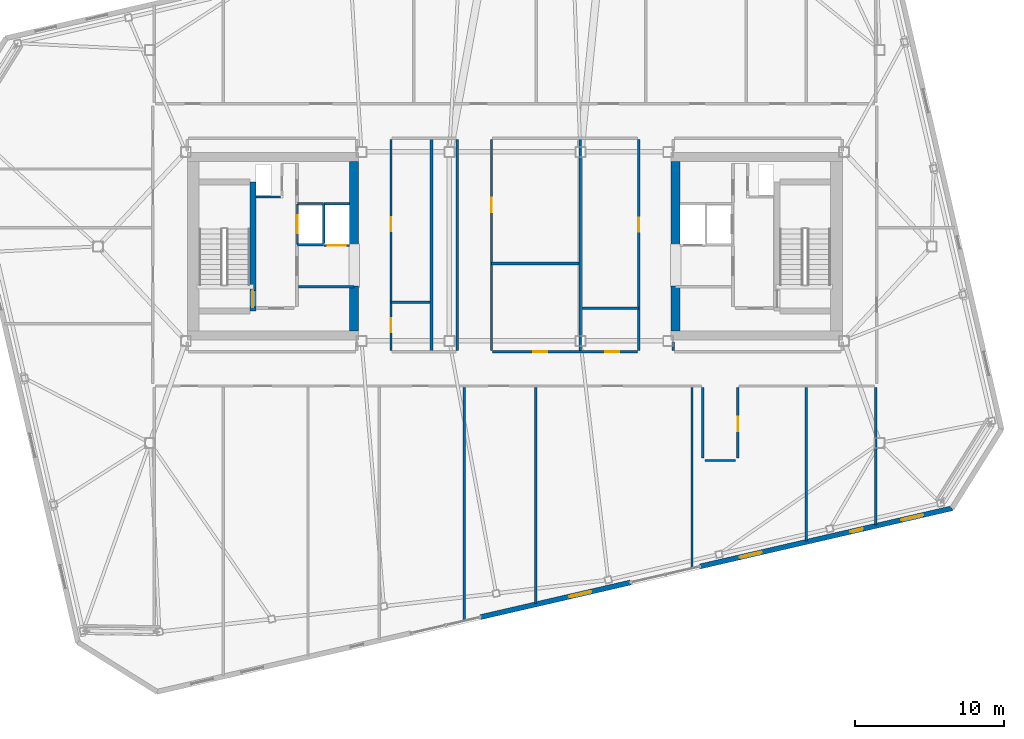
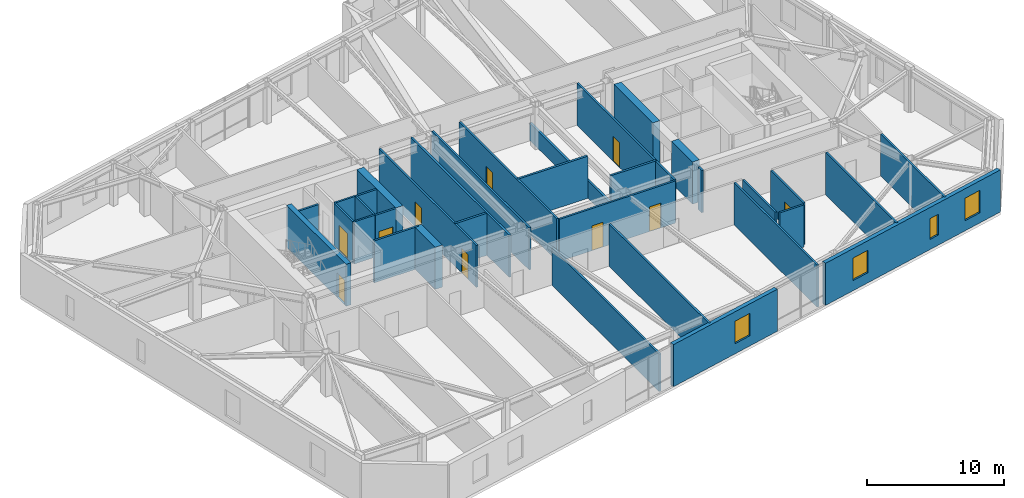
# One storey, part 18 of 24: 34 walls, 10 doors, 4 windows, 14 openings.
"""IFC4 building model written with IfcOpenShell, lengths in metres."""

from ifc_helpers import new_model, si_unit, direction, frame, frame_2d, origin, place, context, subcontext, project, spatial, rectangle, extrude, material, layer, layer_set, type_object, element, fill, save


model = new_model("IFC4")

# Units and contexts
model_context = context("Model", 3, precision=1e-05, world=origin(), true_north=direction((0.0, 1.0)))
body_context = subcontext(model_context, "Body", "Model", "MODEL_VIEW")
ifc_project = project(units=[si_unit("LENGTHUNIT", "METRE"), si_unit("AREAUNIT", "SQUARE_METRE"), si_unit("VOLUMEUNIT", "CUBIC_METRE"), si_unit("PLANEANGLEUNIT", "RADIAN"), si_unit("MASSUNIT", "GRAM", prefix="KILO")], contexts=[model_context])

# Site, building, storey
site_placement = place(None, origin())
site = spatial("IfcSite", under=ifc_project, at=site_placement, CompositionType="ELEMENT")
building_placement = place(site_placement, origin())
building = spatial("IfcBuilding", under=site, at=building_placement, Name="Tavrogorsk Clinical Tower", CompositionType="ELEMENT")
storey_placement = place(building_placement, frame((0.0, 0.0, 309.0)))
storey = spatial("IfcBuildingStorey", under=building, at=storey_placement, Name="L72", CompositionType="ELEMENT", Elevation=309.0)

# Wall
ifc_material_1 = material(Name="Lightweight concrete blockwork B15", Category="masonry")
ifc_layer_1 = layer(ifc_material_1, 0.159912109375)
ifc_layer_set_1 = layer_set([ifc_layer_1], Name="Lightweight concrete blockwork B15")
wall_type_1 = type_object("IfcWallType", Name="PartitionWall_160", PredefinedType="PARTITIONING", material=ifc_layer_set_1)
wall_1_placement = place(storey_placement, frame((-14.534912109375, -2.699951171875, 0.0), z_axis=(0.0, 0.0, 1.0), x_axis=(1.0, 0.0, 0.0)))
element("IfcWall", 1, at=wall_1_placement, inside=storey, type_object=wall_type_1, Name="L72 Core West Freed Mid-Bank North Partition", PredefinedType="PARTITIONING", context=body_context, shape_type="SweptSolid", body=[
    extrude(rectangle(XDim=3.73486328125, YDim=0.159912109375, at=frame_2d((1.867431640625, 0.0))), origin(), (0.0, 0.0, 1.0), 3.739990234375),
])

# Wall, opening, door
wall_2_placement = place(storey_placement, frame((14.97998046875, -9.465087890625, 0.0), z_axis=(0.0, 0.0, 1.0), x_axis=(0.0, -1.0, 0.0)))
wall_2 = element("IfcWall", 2, at=wall_2_placement, inside=storey, type_object=wall_type_1, Name="L72 Corridor Partition 05", PredefinedType="PARTITIONING", context=body_context, shape_type="SweptSolid", body=[
    extrude(rectangle(XDim=4.75, YDim=0.159912109375, at=frame_2d((2.375, 0.0))), origin(), (0.0, 0.0, 1.0), 3.739990234375),
])
opening_1_placement = place(wall_2_placement, frame((1.985107421875, 0.0, 0.0)))
opening_1 = element("IfcOpeningElement", 3, at=opening_1_placement, cuts=wall_2, Name="Opening ID-02", PredefinedType="OPENING", context=body_context, shape_type="SweptSolid", body=[
    extrude(rectangle(XDim=0.949951171875, YDim=2.199951171875, at=frame_2d((0.47509765625, 1.10009765625))), frame((0.0, 0.08984375, 0.0), z_axis=(0.0, -1.0, 0.0), x_axis=(1.0, 0.0, 0.0)), (0.0, 0.0, 1.0), 0.179931640625),
])
ifc_material_2 = material(Name="Laminated timber leaf on aluminium frame", Category="wood")
door_type_1 = type_object("IfcDoorType", Name="InteriorDoor_ID02_950", OperationType="NOTDEFINED", PredefinedType="DOOR", material=ifc_material_2)
door_1_placement = place(opening_1_placement, origin())
door_1 = element("IfcDoor", 4, at=door_1_placement, inside=storey, type_object=door_type_1, Name="L72 South Clean Medication & Prep Room 05 Door", OperationType="SINGLE_SWING_RIGHT", OverallHeight=2.199951171875, OverallWidth=0.949951171875, PredefinedType="DOOR", context=body_context, shape_type="SweptSolid", body=[
    extrude(rectangle(XDim=0.949951171875, YDim=2.199951171875, at=frame_2d((0.47509765625, 1.10009765625))), frame((0.0, 0.02490234375, 0.0), z_axis=(0.0, -1.0, 0.0), x_axis=(1.0, 0.0, 0.0)), (0.0, 0.0, 1.0), 0.050048828125),
])
fill(opening_1, door_1)

# Walls
wall_3_placement = place(storey_placement, frame((14.81494140625, -14.3798828125, 0.0), z_axis=(0.0, 0.0, 1.0), x_axis=(-1.0, 0.0, 0.0)))
element("IfcWall", 5, at=wall_3_placement, inside=storey, type_object=wall_type_1, Name="L72 Corridor Partition 06", PredefinedType="PARTITIONING", context=body_context, shape_type="SweptSolid", body=[
    extrude(rectangle(XDim=2.030029296875, YDim=0.159912109375, at=frame_2d((1.01513671875, 0.0))), origin(), (0.0, 0.0, 1.0), 3.739990234375),
])
wall_4_placement = place(storey_placement, frame((12.6201171875, -14.215087890625, 0.0), z_axis=(0.0, 0.0, 1.0), x_axis=(0.0, 1.0, 0.0)))
element("IfcWall", 6, at=wall_4_placement, inside=storey, type_object=wall_type_1, Name="L72 Corridor Partition 07", PredefinedType="PARTITIONING", context=body_context, shape_type="SweptSolid", body=[
    extrude(rectangle(XDim=4.75, YDim=0.159912109375, at=frame_2d((2.375, 0.0))), origin(), (0.0, 0.0, 1.0), 3.739990234375),
])
wall_5_placement = place(storey_placement, frame((10.6298828125, -6.419921875, 0.0), z_axis=(0.0, 0.0, 1.0), x_axis=(0.0, -1.0, 0.0)))
element("IfcWall", 7, at=wall_5_placement, inside=storey, type_object=wall_type_1, Name="L72 Corridor Partition 11", PredefinedType="PARTITIONING", context=body_context, shape_type="SweptSolid", body=[
    extrude(rectangle(XDim=0.565185546875, YDim=0.159912109375, at=frame_2d((0.28271484375, 0.0))), origin(), (0.0, 0.0, 1.0), 3.739990234375),
])

# Wall, opening, door
wall_6_placement = place(storey_placement, frame((-1.570068359375, 7.18505859375, 0.0), z_axis=(0.0, 0.0, 1.0), x_axis=(0.0, -1.0, 0.0)))
wall_6 = element("IfcWall", 8, at=wall_6_placement, inside=storey, type_object=wall_type_1, Name="L72 Corridor Partition 16", PredefinedType="PARTITIONING", context=body_context, shape_type="SweptSolid", body=[
    extrude(rectangle(XDim=14.170166015625, YDim=0.159912109375, at=frame_2d((7.0849609375, 0.0))), origin(), (0.0, 0.0, 1.0), 3.739990234375),
])
opening_2_placement = place(wall_6_placement, frame((3.92919921875, 0.0, 0.0)))
opening_2 = element("IfcOpeningElement", 9, at=opening_2_placement, cuts=wall_6, Name="Opening ID-02", PredefinedType="OPENING", context=body_context, shape_type="SweptSolid", body=[
    extrude(rectangle(XDim=0.949951171875, YDim=2.199951171875, at=frame_2d((0.47509765625, 1.10009765625))), frame((0.0, 0.08984375, 0.0), z_axis=(0.0, -1.0, 0.0), x_axis=(1.0, 0.0, 0.0)), (0.0, 0.0, 1.0), 0.179931640625),
])
door_2_placement = place(opening_2_placement, origin())
door_2 = element("IfcDoor", 10, at=door_2_placement, inside=storey, type_object=door_type_1, Name="L72 Nurses' Station & Triage Hub Door", OperationType="SINGLE_SWING_LEFT", OverallHeight=2.199951171875, OverallWidth=0.949951171875, PredefinedType="DOOR", context=body_context, shape_type="SweptSolid", body=[
    extrude(rectangle(XDim=0.949951171875, YDim=2.199951171875, at=frame_2d((0.47509765625, 1.10009765625))), frame((0.0, 0.02490234375, 0.0), z_axis=(0.0, -1.0, 0.0), x_axis=(1.0, 0.0, 0.0)), (0.0, 0.0, 1.0), 0.050048828125),
])
fill(opening_2, door_2)

# Wall, openings, doors
wall_7_placement = place(storey_placement, frame((-1.485107421875, -7.070068359375, 0.0), z_axis=(0.0, 0.0, 1.0), x_axis=(1.0, 0.0, 0.0)))
wall_7 = element("IfcWall", 11, at=wall_7_placement, inside=storey, type_object=wall_type_1, Name="L72 Corridor Partition 17", PredefinedType="PARTITIONING", context=body_context, shape_type="SweptSolid", body=[
    extrude(rectangle(XDim=9.72021484375, YDim=0.159912109375, at=frame_2d((4.860107421875, 0.0))), origin(), (0.0, 0.0, 1.0), 3.739990234375),
])
opening_3_placement = place(wall_7_placement, frame((2.7041015625, 0.0, 0.0)))
opening_3 = element("IfcOpeningElement", 12, at=opening_3_placement, cuts=wall_7, Name="Opening ID-02", PredefinedType="OPENING", context=body_context, shape_type="SweptSolid", body=[
    extrude(rectangle(XDim=0.949951171875, YDim=2.199951171875, at=frame_2d((0.47509765625, 1.10009765625))), frame((0.0, 0.08984375, 0.0), z_axis=(0.0, -1.0, 0.0), x_axis=(1.0, 0.0, 0.0)), (0.0, 0.0, 1.0), 0.179931640625),
])
opening_4_placement = place(wall_7_placement, frame((7.560791015625, 0.0, 0.0)))
opening_4 = element("IfcOpeningElement", 13, at=opening_4_placement, cuts=wall_7, Name="Opening ID-02", PredefinedType="OPENING", context=body_context, shape_type="SweptSolid", body=[
    extrude(rectangle(XDim=0.949951171875, YDim=2.199951171875, at=frame_2d((0.47509765625, 1.10009765625))), frame((0.0, 0.08984375, 0.0), z_axis=(0.0, -1.0, 0.0), x_axis=(1.0, 0.0, 0.0)), (0.0, 0.0, 1.0), 0.179931640625),
])
door_3_placement = place(opening_3_placement, origin())
door_3 = element("IfcDoor", 14, at=door_3_placement, inside=storey, type_object=door_type_1, Name="L72 Multidisciplinary Conference Room Door", OperationType="SINGLE_SWING_RIGHT", OverallHeight=2.199951171875, OverallWidth=0.949951171875, PredefinedType="DOOR", context=body_context, shape_type="SweptSolid", body=[
    extrude(rectangle(XDim=0.949951171875, YDim=2.199951171875, at=frame_2d((0.47509765625, 1.10009765625))), frame((0.0, 0.02490234375, 0.0), z_axis=(0.0, -1.0, 0.0), x_axis=(1.0, 0.0, 0.0)), (0.0, 0.0, 1.0), 0.050048828125),
])
fill(opening_3, door_3)
door_4_placement = place(opening_4_placement, origin())
door_4 = element("IfcDoor", 15, at=door_4_placement, inside=storey, type_object=door_type_1, Name="L72 Staff & Visitor Accessible WC Door", OperationType="SINGLE_SWING_RIGHT", OverallHeight=2.199951171875, OverallWidth=0.949951171875, PredefinedType="DOOR", context=body_context, shape_type="SweptSolid", body=[
    extrude(rectangle(XDim=0.949951171875, YDim=2.199951171875, at=frame_2d((0.47509765625, 1.10009765625))), frame((0.0, 0.02490234375, 0.0), z_axis=(0.0, -1.0, 0.0), x_axis=(1.0, 0.0, 0.0)), (0.0, 0.0, 1.0), 0.050048828125),
])
fill(opening_4, door_4)

# Wall, opening, door
wall_8_placement = place(storey_placement, frame((8.320068359375, -6.985107421875, 0.0), z_axis=(0.0, 0.0, 1.0), x_axis=(0.0, 1.0, 0.0)))
wall_8 = element("IfcWall", 16, at=wall_8_placement, inside=storey, type_object=wall_type_1, Name="L72 Corridor Partition 18", PredefinedType="PARTITIONING", context=body_context, shape_type="SweptSolid", body=[
    extrude(rectangle(XDim=14.170166015625, YDim=0.159912109375, at=frame_2d((7.0849609375, 0.0))), origin(), (0.0, 0.0, 1.0), 3.739990234375),
])
opening_5_placement = place(wall_8_placement, frame((7.9609375, 0.0, 0.0)))
opening_5 = element("IfcOpeningElement", 17, at=opening_5_placement, cuts=wall_8, Name="Opening ID-02", PredefinedType="OPENING", context=body_context, shape_type="SweptSolid", body=[
    extrude(rectangle(XDim=0.949951171875, YDim=2.199951171875, at=frame_2d((0.47509765625, 1.10009765625))), frame((0.0, 0.08984375, 0.0), z_axis=(0.0, -1.0, 0.0), x_axis=(1.0, 0.0, 0.0)), (0.0, 0.0, 1.0), 0.179931640625),
])
door_5_placement = place(opening_5_placement, origin())
door_5 = element("IfcDoor", 18, at=door_5_placement, inside=storey, type_object=door_type_1, Name="L72 Attending Physician Office Door", OperationType="SINGLE_SWING_LEFT", OverallHeight=2.199951171875, OverallWidth=0.949951171875, PredefinedType="DOOR", context=body_context, shape_type="SweptSolid", body=[
    extrude(rectangle(XDim=0.949951171875, YDim=2.199951171875, at=frame_2d((0.47509765625, 1.10009765625))), frame((0.0, 0.02490234375, 0.0), z_axis=(0.0, -1.0, 0.0), x_axis=(1.0, 0.0, 0.0)), (0.0, 0.0, 1.0), 0.050048828125),
])
fill(opening_5, door_5)

# Wall
wall_9_placement = place(storey_placement, frame((-3.8798828125, -6.985107421875, 0.0), z_axis=(0.0, 0.0, 1.0), x_axis=(0.0, 1.0, 0.0)))
element("IfcWall", 19, at=wall_9_placement, inside=storey, type_object=wall_type_1, Name="L72 Corridor Partition 19", PredefinedType="PARTITIONING", context=body_context, shape_type="SweptSolid", body=[
    extrude(rectangle(XDim=14.170166015625, YDim=0.159912109375, at=frame_2d((7.0849609375, 0.0))), origin(), (0.0, 0.0, 1.0), 3.739990234375),
])

# Wall, openings, doors
wall_10_placement = place(storey_placement, frame((-8.320068359375, 7.18505859375, 0.0), z_axis=(0.0, 0.0, 1.0), x_axis=(0.0, -1.0, 0.0)))
wall_10 = element("IfcWall", 20, at=wall_10_placement, inside=storey, type_object=wall_type_1, Name="L72 Corridor Partition 21", PredefinedType="PARTITIONING", context=body_context, shape_type="SweptSolid", body=[
    extrude(rectangle(XDim=14.170166015625, YDim=0.159912109375, at=frame_2d((7.0849609375, 0.0))), origin(), (0.0, 0.0, 1.0), 3.739990234375),
])
opening_6_placement = place(wall_10_placement, frame((12.010986328125, 0.0, 0.0)))
opening_6 = element("IfcOpeningElement", 21, at=opening_6_placement, cuts=wall_10, Name="Opening ID-02", PredefinedType="OPENING", context=body_context, shape_type="SweptSolid", body=[
    extrude(rectangle(XDim=0.949951171875, YDim=2.199951171875, at=frame_2d((0.47509765625, 1.10009765625))), frame((0.0, 0.08984375, 0.0), z_axis=(0.0, -1.0, 0.0), x_axis=(1.0, 0.0, 0.0)), (0.0, 0.0, 1.0), 0.179931640625),
])
opening_7_placement = place(wall_10_placement, frame((5.22900390625, 0.0, 0.0)))
opening_7 = element("IfcOpeningElement", 22, at=opening_7_placement, cuts=wall_10, Name="Opening ID-02", PredefinedType="OPENING", context=body_context, shape_type="SweptSolid", body=[
    extrude(rectangle(XDim=0.949951171875, YDim=2.199951171875, at=frame_2d((0.47509765625, 1.10009765625))), frame((0.0, 0.08984375, 0.0), z_axis=(0.0, -1.0, 0.0), x_axis=(1.0, 0.0, 0.0)), (0.0, 0.0, 1.0), 0.179931640625),
])
door_6_placement = place(opening_6_placement, origin())
door_6 = element("IfcDoor", 23, at=door_6_placement, inside=storey, type_object=door_type_1, Name="L72 Accessible Patient Lavatory Door", OperationType="SINGLE_SWING_RIGHT", OverallHeight=2.199951171875, OverallWidth=0.949951171875, PredefinedType="DOOR", context=body_context, shape_type="SweptSolid", body=[
    extrude(rectangle(XDim=0.949951171875, YDim=2.199951171875, at=frame_2d((0.47509765625, 1.10009765625))), frame((0.0, 0.02490234375, 0.0), z_axis=(0.0, -1.0, 0.0), x_axis=(1.0, 0.0, 0.0)), (0.0, 0.0, 1.0), 0.050048828125),
])
fill(opening_6, door_6)
door_7_placement = place(opening_7_placement, origin())
door_7 = element("IfcDoor", 24, at=door_7_placement, inside=storey, type_object=door_type_1, Name="L72 Ward Nourishment Pantry Door", OperationType="SINGLE_SWING_LEFT", OverallHeight=2.199951171875, OverallWidth=0.949951171875, PredefinedType="DOOR", context=body_context, shape_type="SweptSolid", body=[
    extrude(rectangle(XDim=0.949951171875, YDim=2.199951171875, at=frame_2d((0.47509765625, 1.10009765625))), frame((0.0, 0.02490234375, 0.0), z_axis=(0.0, -1.0, 0.0), x_axis=(1.0, 0.0, 0.0)), (0.0, 0.0, 1.0), 0.050048828125),
])
fill(opening_7, door_7)

# Walls
wall_11_placement = place(storey_placement, frame((24.22998046875, -18.702880859375, 0.0), z_axis=(0.0, 0.0, 1.0), x_axis=(0.0, 1.0, 0.0)))
element("IfcWall", 25, at=wall_11_placement, inside=storey, type_object=wall_type_1, Name="L72 SE Wing Closure Partition", PredefinedType="PARTITIONING", context=body_context, shape_type="SweptSolid", body=[
    extrude(rectangle(XDim=9.23779296875, YDim=0.159912109375, at=frame_2d((4.618896484375, 0.0))), origin(), (0.0, 0.0, 1.0), 3.739990234375),
])
wall_12_placement = place(storey_placement, frame((1.39990234375, -23.973388671875, 0.0), z_axis=(0.0, 0.0, 1.0), x_axis=(0.0, 1.0, 0.0)))
element("IfcWall", 26, at=wall_12_placement, inside=storey, type_object=wall_type_1, Name="L72 South Room Partition 3", PredefinedType="PARTITIONING", context=body_context, shape_type="SweptSolid", body=[
    extrude(rectangle(XDim=14.50830078125, YDim=0.159912109375, at=frame_2d((7.254150390625, 0.0))), origin(), (0.0, 0.0, 1.0), 3.739990234375),
])
wall_13_placement = place(storey_placement, frame((11.89990234375, -21.54931640625, 0.0), z_axis=(0.0, 0.0, 1.0), x_axis=(0.0, 1.0, 0.0)))
element("IfcWall", 27, at=wall_13_placement, inside=storey, type_object=wall_type_1, Name="L72 South Room Partition 4", PredefinedType="PARTITIONING", context=body_context, shape_type="SweptSolid", body=[
    extrude(rectangle(XDim=12.084228515625, YDim=0.159912109375, at=frame_2d((6.0419921875, 0.0))), origin(), (0.0, 0.0, 1.0), 3.739990234375),
])
wall_14_placement = place(storey_placement, frame((19.580078125, -19.7763671875, 0.0), z_axis=(0.0, 0.0, 1.0), x_axis=(0.0, 1.0, 0.0)))
element("IfcWall", 28, at=wall_14_placement, inside=storey, type_object=wall_type_1, Name="L72 South Room Partition 5", PredefinedType="PARTITIONING", context=body_context, shape_type="SweptSolid", body=[
    extrude(rectangle(XDim=10.311279296875, YDim=0.159912109375, at=frame_2d((5.15576171875, 0.0))), origin(), (0.0, 0.0, 1.0), 3.739990234375),
])
wall_15_placement = place(storey_placement, frame((-3.39990234375, -25.081787109375, 0.0), z_axis=(0.0, 0.0, 1.0), x_axis=(0.0, 1.0, 0.0)))
element("IfcWall", 29, at=wall_15_placement, inside=storey, type_object=wall_type_1, Name="L72 South Sub-Partition 3", PredefinedType="PARTITIONING", context=body_context, shape_type="SweptSolid", body=[
    extrude(rectangle(XDim=15.61669921875, YDim=0.159912109375, at=frame_2d((7.808349609375, 0.0))), origin(), (0.0, 0.0, 1.0), 3.3349609375),
])
ifc_material_3 = material(Name="Lightweight concrete blockwork B20", Category="masonry")
ifc_layer_2 = layer(ifc_material_3, 0.179931640625)
ifc_layer_set_2 = layer_set([ifc_layer_2], Name="Lightweight concrete blockwork B20")
wall_type_2 = type_object("IfcWallType", Name="PartitionWall_180", PredefinedType="PARTITIONING", material=ifc_layer_set_2)
wall_16_placement = place(storey_placement, frame((-5.60009765625, -7.06494140625, 0.0), z_axis=(0.0, 0.0, 1.0), x_axis=(0.0, 1.0, 0.0)))
element("IfcWall", 30, at=wall_16_placement, inside=storey, type_object=wall_type_2, Name="L72 Central Spine Partition 1", PredefinedType="PARTITIONING", context=body_context, shape_type="SweptSolid", body=[
    extrude(rectangle(XDim=14.329833984375, YDim=0.179931640625, at=frame_2d((7.1650390625, 0.0))), origin(), (0.0, 0.0, 1.0), 3.739990234375),
])
wall_17_placement = place(storey_placement, frame((4.39990234375, -7.06494140625, 0.0), z_axis=(0.0, 0.0, 1.0), x_axis=(0.0, 1.0, 0.0)))
element("IfcWall", 31, at=wall_17_placement, inside=storey, type_object=wall_type_2, Name="L72 Central Spine Partition 2", PredefinedType="PARTITIONING", context=body_context, shape_type="SweptSolid", body=[
    extrude(rectangle(XDim=14.329833984375, YDim=0.179931640625, at=frame_2d((7.1650390625, 0.0))), origin(), (0.0, 0.0, 1.0), 1.534912109375),
])
wall_18_placement = place(storey_placement, frame((-1.56494140625, -1.14990234375, 0.0), z_axis=(0.0, 0.0, 1.0), x_axis=(1.0, 0.0, 0.0)))
element("IfcWall", 32, at=wall_18_placement, inside=storey, type_object=wall_type_2, Name="L72 Central Spine Partition 3", PredefinedType="PARTITIONING", context=body_context, shape_type="SweptSolid", body=[
    extrude(rectangle(XDim=5.869873046875, YDim=0.179931640625, at=frame_2d((2.93505859375, 0.0))), origin(), (0.0, 0.0, 1.0), 3.739990234375),
])
wall_19_placement = place(storey_placement, frame((-8.31494140625, -3.75, 0.0), z_axis=(0.0, 0.0, 1.0), x_axis=(1.0, 0.0, 0.0)))
element("IfcWall", 33, at=wall_19_placement, inside=storey, type_object=wall_type_2, Name="L72 Central Spine Partition 4", PredefinedType="PARTITIONING", context=body_context, shape_type="SweptSolid", body=[
    extrude(rectangle(XDim=2.619873046875, YDim=0.179931640625, at=frame_2d((1.31005859375, 0.0))), origin(), (0.0, 0.0, 1.0), 3.739990234375),
])
wall_20_placement = place(storey_placement, frame((4.4951171875, -4.14990234375, 0.0), z_axis=(0.0, 0.0, 1.0), x_axis=(1.0, 0.0, 0.0)))
element("IfcWall", 34, at=wall_20_placement, inside=storey, type_object=wall_type_2, Name="L72 Central Spine Partition 5", PredefinedType="PARTITIONING", context=body_context, shape_type="SweptSolid", body=[
    extrude(rectangle(XDim=3.81982421875, YDim=0.179931640625, at=frame_2d((1.909912109375, 0.0))), origin(), (0.0, 0.0, 1.0), 3.739990234375),
])

# Wall, opening, window
ifc_material_4 = material(Name="Precast concrete B45 with limestone cladding", Category="masonry")
ifc_layer_3 = layer(ifc_material_4, 0.340087890625)
ifc_layer_set_3 = layer_set([ifc_layer_3], Name="Precast concrete B45 with limestone cladding")
wall_type_3 = type_object("IfcWallType", Name="PrecastLimestoneWall_340", PredefinedType="STANDARD", material=ifc_layer_set_3)
wall_21_placement = place(storey_placement, frame((-2.294921875, -24.8984375, 0.0), z_axis=(0.0, 0.0, 1.0), x_axis=(0.974370872906, 0.224947553958, 0.0)))
wall_21 = element("IfcWall", 35, at=wall_21_placement, inside=storey, type_object=wall_type_3, Name="L72 S Limestone Facade Wall 2", PredefinedType="STANDARD", context=body_context, shape_type="SweptSolid", body=[
    extrude(rectangle(XDim=10.327880859375, YDim=0.340087890625, at=frame_2d((5.1640625, 0.0))), origin(), (0.0, 0.0, 1.0), 3.739990234375),
])
opening_8_placement = place(wall_21_placement, frame((6.124267578125, 0.0, 0.89990234375)))
opening_8 = element("IfcOpeningElement", 36, at=opening_8_placement, cuts=wall_21, Name="Opening WN-05", PredefinedType="OPENING", context=body_context, shape_type="SweptSolid", body=[
    extrude(rectangle(XDim=1.5, YDim=2.0, at=frame_2d((0.75, 1.0))), frame((0.0, 0.179931640625, 0.0), z_axis=(0.0, -1.0, 0.0), x_axis=(1.0, 0.0, 0.0)), (0.0, 0.0, 1.0), 0.360107421875),
])
ifc_material_5 = material(Name="Thermally broken aluminium frame and triple IGU", Category="aluminium")
window_type_1 = type_object("IfcWindowType", Name="ConsultWin_1500x2000", PartitioningType="SINGLE_PANEL", PredefinedType="WINDOW", material=ifc_material_5)
window_1_placement = place(opening_8_placement, origin())
window_1 = element("IfcWindow", 37, at=window_1_placement, inside=storey, type_object=window_type_1, Name="L72 S Chicago Window 06", OverallHeight=2.0, OverallWidth=1.5, PartitioningType="SINGLE_PANEL", PredefinedType="WINDOW", context=body_context, shape_type="SweptSolid", body=[
    extrude(rectangle(XDim=1.5, YDim=2.0, at=frame_2d((0.75, 1.0))), frame((0.0, 0.030029296875, 0.0), z_axis=(0.0, -1.0, 0.0), x_axis=(1.0, 0.0, 0.0)), (0.0, 0.0, 1.0), 0.06005859375),
])
fill(opening_8, window_1)

# Wall, openings, windows
wall_22_placement = place(storey_placement, frame((12.4453125, -21.495361328125, 0.0), z_axis=(0.0, 0.0, 1.0), x_axis=(0.974369392164, 0.224953967767, 0.0)))
wall_22 = element("IfcWall", 38, at=wall_22_placement, inside=storey, type_object=wall_type_3, Name="L72 S Limestone Facade Wall 3", PredefinedType="STANDARD", context=body_context, shape_type="SweptSolid", body=[
    extrude(rectangle(XDim=17.36572265625, YDim=0.340087890625, at=frame_2d((8.682861328125, 0.0))), origin(), (0.0, 0.0, 1.0), 3.739990234375),
])
opening_9_placement = place(wall_22_placement, frame((2.728515625, 0.0, 0.89990234375)))
opening_9 = element("IfcOpeningElement", 39, at=opening_9_placement, cuts=wall_22, Name="Opening WN-05", PredefinedType="OPENING", context=body_context, shape_type="SweptSolid", body=[
    extrude(rectangle(XDim=1.5, YDim=2.0, at=frame_2d((0.75, 1.0))), frame((0.0, 0.179931640625, 0.0), z_axis=(0.0, -1.0, 0.0), x_axis=(1.0, 0.0, 0.0)), (0.0, 0.0, 1.0), 0.360107421875),
])
opening_10_placement = place(wall_22_placement, frame((10.36279296875, 0.0, 0.89990234375)))
opening_10 = element("IfcOpeningElement", 40, at=opening_10_placement, cuts=wall_22, Name="Opening WN-06", PredefinedType="OPENING", context=body_context, shape_type="SweptSolid", body=[
    extrude(rectangle(XDim=0.85009765625, YDim=1.85009765625, at=frame_2d((0.425048828125, 0.925048828125))), frame((0.0, 0.179931640625, 0.0), z_axis=(0.0, -1.0, 0.0), x_axis=(1.0, 0.0, 0.0)), (0.0, 0.0, 1.0), 0.360107421875),
])
opening_11_placement = place(wall_22_placement, frame((13.87451171875, 0.0, 0.89990234375)))
opening_11 = element("IfcOpeningElement", 41, at=opening_11_placement, cuts=wall_22, Name="Opening WN-05", PredefinedType="OPENING", context=body_context, shape_type="SweptSolid", body=[
    extrude(rectangle(XDim=1.5, YDim=2.0, at=frame_2d((0.75, 1.0))), frame((0.0, 0.179931640625, 0.0), z_axis=(0.0, -1.0, 0.0), x_axis=(1.0, 0.0, 0.0)), (0.0, 0.0, 1.0), 0.360107421875),
])
window_2_placement = place(opening_9_placement, origin())
window_2 = element("IfcWindow", 42, at=window_2_placement, inside=storey, type_object=window_type_1, Name="L72 S Chicago Window 07", OverallHeight=2.0, OverallWidth=1.5, PartitioningType="SINGLE_PANEL", PredefinedType="WINDOW", context=body_context, shape_type="SweptSolid", body=[
    extrude(rectangle(XDim=1.5, YDim=2.0, at=frame_2d((0.75, 1.0))), frame((0.0, 0.030029296875, 0.0), z_axis=(0.0, -1.0, 0.0), x_axis=(1.0, 0.0, 0.0)), (0.0, 0.0, 1.0), 0.06005859375),
])
fill(opening_9, window_2)
window_3_placement = place(opening_11_placement, origin())
window_3 = element("IfcWindow", 43, at=window_3_placement, inside=storey, type_object=window_type_1, Name="L72 S Chicago Window 10", OverallHeight=2.0, OverallWidth=1.5, PartitioningType="SINGLE_PANEL", PredefinedType="WINDOW", context=body_context, shape_type="SweptSolid", body=[
    extrude(rectangle(XDim=1.5, YDim=2.0, at=frame_2d((0.75, 1.0))), frame((0.0, 0.030029296875, 0.0), z_axis=(0.0, -1.0, 0.0), x_axis=(1.0, 0.0, 0.0)), (0.0, 0.0, 1.0), 0.06005859375),
])
fill(opening_11, window_3)
ifc_material_6 = material(Name="Thermally broken aluminium frame and triple IGU", Category="aluminium")
window_type_2 = type_object("IfcWindowType", Name="MullionSubWin_850x1850", PartitioningType="SINGLE_PANEL", PredefinedType="WINDOW", material=ifc_material_6)
window_4_placement = place(opening_10_placement, origin())
window_4 = element("IfcWindow", 44, at=window_4_placement, inside=storey, type_object=window_type_2, Name="L72 S Mullion Split Window 09A", OverallHeight=1.85009765625, OverallWidth=0.85009765625, PartitioningType="SINGLE_PANEL", PredefinedType="WINDOW", context=body_context, shape_type="SweptSolid", body=[
    extrude(rectangle(XDim=0.85009765625, YDim=1.85009765625, at=frame_2d((0.425048828125, 0.925048828125))), frame((0.0, 0.030029296875, 0.0), z_axis=(0.0, -1.0, 0.0), x_axis=(1.0, 0.0, 0.0)), (0.0, 0.0, 1.0), 0.06005859375),
])
fill(opening_10, window_4)

# Wall, opening, door
ifc_material_7 = material(Name="Lightweight concrete blockwork B25", Category="masonry")
ifc_layer_4 = layer(ifc_material_7, 0.159912109375)
ifc_layer_set_4 = layer_set([ifc_layer_4], Name="Lightweight concrete blockwork B25")
wall_type_4 = type_object("IfcWallType", Name="ShaftWall_160", PredefinedType="PARTITIONING", material=ifc_layer_set_4)
wall_23_placement = place(storey_placement, frame((-14.60009765625, 0.1201171875, 0.0), z_axis=(0.0, 0.0, 1.0), x_axis=(0.0, 1.0, 0.0)))
wall_23 = element("IfcWall", 45, at=wall_23_placement, inside=storey, type_object=wall_type_4, Name="L72 FFL-W Firefighting Lift Front Wall", PredefinedType="PARTITIONING", context=body_context, shape_type="SweptSolid", body=[
    extrude(rectangle(XDim=2.739990234375, YDim=0.159912109375, at=frame_2d((1.3701171875, 0.0))), origin(), (0.0, 0.0, 1.0), 3.739990234375),
])
opening_12_placement = place(wall_23_placement, frame((0.77001953125, 0.0, 0.0)))
opening_12 = element("IfcOpeningElement", 46, at=opening_12_placement, cuts=wall_23, Name="Opening LD", PredefinedType="OPENING", context=body_context, shape_type="SweptSolid", body=[
    extrude(rectangle(XDim=1.199951171875, YDim=2.199951171875, at=frame_2d((0.60009765625, 1.10009765625))), frame((0.0, 0.08984375, 0.0), z_axis=(0.0, -1.0, 0.0), x_axis=(1.0, 0.0, 0.0)), (0.0, 0.0, 1.0), 0.179931640625),
])
ifc_material_8 = material(Name="Brushed stainless steel AISI 304 sliding doors", Category="steel")
door_type_2 = type_object("IfcDoorType", Name="LiftLandingDoor_LD_1200", OperationType="SLIDING_TO_LEFT", PredefinedType="DOOR", material=ifc_material_8)
door_8_placement = place(opening_12_placement, origin())
door_8 = element("IfcDoor", 47, at=door_8_placement, inside=storey, type_object=door_type_2, Name="L72 FFL-W Sliding Lift Landing Door", OperationType="SLIDING_TO_LEFT", OverallHeight=2.199951171875, OverallWidth=1.199951171875, PredefinedType="DOOR", context=body_context, shape_type="SweptSolid", body=[
    extrude(rectangle(XDim=1.199951171875, YDim=2.199951171875, at=frame_2d((0.60009765625, 1.10009765625))), frame((0.0, 0.02490234375, 0.0), z_axis=(0.0, -1.0, 0.0), x_axis=(1.0, 0.0, 0.0)), (0.0, 0.0, 1.0), 0.050048828125),
])
fill(opening_12, door_8)

# Walls
for number, where, z_axis, x_axis, name in (
    (48, (-14.60009765625, 0.10009765625, 0.0), (0.0, 0.0, 1.0), (1.0, 0.0, 0.0), "L72 FFL-W Shaft South Wall"),
    (49, (-14.60009765625, 2.8798828125, 0.0), (0.0, 0.0, 1.0), (1.0, 0.0, 0.0), "L72 FFL-W Shaft North Wall"),
):
    element("IfcWall", number, at=place(storey_placement, frame(where, z_axis=z_axis, x_axis=x_axis)), inside=storey, type_object=wall_type_4, Name=name, PredefinedType="PARTITIONING", context=body_context, shape_type="SweptSolid", body=[
        extrude(rectangle(XDim=1.760009765625, YDim=0.159912109375, at=frame_2d((0.8798828125, 0.0))), origin(), (0.0, 0.0, 1.0), 3.739990234375),
    ])
wall_24_placement = place(storey_placement, frame((-12.840087890625, 0.179931640625, 0.0), z_axis=(0.0, 0.0, 1.0), x_axis=(0.0, 1.0, 0.0)))
element("IfcWall", 50, at=wall_24_placement, inside=storey, type_object=wall_type_4, Name="L72 FFL-W Shaft Back Wall", PredefinedType="PARTITIONING", context=body_context, shape_type="SweptSolid", body=[
    extrude(rectangle(XDim=2.6201171875, YDim=0.159912109375, at=frame_2d((1.31005859375, 0.0))), origin(), (0.0, 0.0, 1.0), 3.739990234375),
])

# Wall, opening, door
wall_25_placement = place(storey_placement, frame((-12.820068359375, 0.06005859375, 0.0), z_axis=(0.0, 0.0, 1.0), x_axis=(1.0, 0.0, 0.0)))
wall_25 = element("IfcWall", 51, at=wall_25_placement, inside=storey, type_object=wall_type_4, Name="L72 LP-H1 High-Zone Lift Portal Wall", PredefinedType="PARTITIONING", context=body_context, shape_type="SweptSolid", body=[
    extrude(rectangle(XDim=1.719970703125, YDim=0.159912109375, at=frame_2d((0.85986328125, 0.0))), origin(), (0.0, 0.0, 1.0), 3.739990234375),
])
opening_13_placement = place(wall_25_placement, frame((0.260009765625, 0.0, 0.0)))
opening_13 = element("IfcOpeningElement", 52, at=opening_13_placement, cuts=wall_25, Name="Opening LD", PredefinedType="OPENING", context=body_context, shape_type="SweptSolid", body=[
    extrude(rectangle(XDim=1.199951171875, YDim=2.199951171875, at=frame_2d((0.60009765625, 1.10009765625))), frame((0.0, 0.08984375, 0.0), z_axis=(0.0, -1.0, 0.0), x_axis=(1.0, 0.0, 0.0)), (0.0, 0.0, 1.0), 0.179931640625),
])
door_9_placement = place(opening_13_placement, origin())
door_9 = element("IfcDoor", 53, at=door_9_placement, inside=storey, type_object=door_type_2, Name="L72 LP-H1 Sliding Lift Landing Door", OperationType="SLIDING_TO_LEFT", OverallHeight=2.199951171875, OverallWidth=1.199951171875, PredefinedType="DOOR", context=body_context, shape_type="SweptSolid", body=[
    extrude(rectangle(XDim=1.199951171875, YDim=2.199951171875, at=frame_2d((0.60009765625, 1.10009765625))), frame((0.0, 0.02490234375, 0.0), z_axis=(0.0, -1.0, 0.0), x_axis=(1.0, 0.0, 0.0)), (0.0, 0.0, 1.0), 0.050048828125),
])
fill(opening_13, door_9)

# Walls
wall_26_placement = place(storey_placement, frame((-12.820068359375, 2.860107421875, 0.0), z_axis=(0.0, 0.0, 1.0), x_axis=(1.0, 0.0, 0.0)))
element("IfcWall", 54, at=wall_26_placement, inside=storey, type_object=wall_type_4, Name="L72 LP-H1 High-Zone Lift Rear Wall", PredefinedType="PARTITIONING", context=body_context, shape_type="SweptSolid", body=[
    extrude(rectangle(XDim=1.719970703125, YDim=0.159912109375, at=frame_2d((0.85986328125, 0.0))), origin(), (0.0, 0.0, 1.0), 3.739990234375),
])
wall_27_placement = place(storey_placement, frame((-17.3798828125, 3.320068359375, 0.0), z_axis=(0.0, 0.0, 1.0), x_axis=(1.0, 0.0, 0.0)))
element("IfcWall", 55, at=wall_27_placement, inside=storey, type_object=wall_type_4, Name="L72 Core West Riser South Wall", PredefinedType="PARTITIONING", context=body_context, shape_type="SweptSolid", body=[
    extrude(rectangle(XDim=1.65478515625, YDim=0.159912109375, at=frame_2d((0.827392578125, 0.0))), origin(), (0.0, 0.0, 1.0), 3.739990234375),
])

# Wall, opening, door
ifc_material_9 = material(Name="Concrete B80", Category="concrete")
ifc_layer_5 = layer(ifc_material_9, 0.39990234375)
ifc_layer_set_5 = layer_set([ifc_layer_5], Name="Concrete B80")
wall_type_5 = type_object("IfcWallType", Name="ShearWall_400", PredefinedType="SHEAR", material=ifc_layer_set_5)
wall_28_placement = place(storey_placement, frame((-17.60009765625, -4.324951171875, 0.0), z_axis=(0.0, 0.0, 1.0), x_axis=(0.0, 1.0, 0.0)))
wall_28 = element("IfcWall", 56, at=wall_28_placement, inside=storey, type_object=wall_type_5, Name="L72 Core West Stair Shaft Inner Shear Wall", PredefinedType="SHEAR", context=body_context, shape_type="SweptSolid", body=[
    extrude(rectangle(XDim=8.64990234375, YDim=0.39990234375, at=frame_2d((4.324951171875, 0.0))), origin(), (0.0, 0.0, 1.0), 3.739990234375),
])
opening_14_placement = place(wall_28_placement, frame((0.25, 0.0, 0.0)))
opening_14 = element("IfcOpeningElement", 57, at=opening_14_placement, cuts=wall_28, Name="Opening SD-01", PredefinedType="OPENING", context=body_context, shape_type="SweptSolid", body=[
    extrude(rectangle(XDim=1.10009765625, YDim=2.199951171875, at=frame_2d((0.550048828125, 1.10009765625))), frame((0.0, 0.2099609375, 0.0), z_axis=(0.0, -1.0, 0.0), x_axis=(1.0, 0.0, 0.0)), (0.0, 0.0, 1.0), 0.419921875),
])
ifc_material_10 = material(Name="Galvanised steel smoke-tight fire door assembly", Category="steel")
door_type_3 = type_object("IfcDoorType", Name="StairFireDoor_SD01_1100", OperationType="NOTDEFINED", PredefinedType="DOOR", material=ifc_material_10)
door_10_placement = place(opening_14_placement, origin())
door_10 = element("IfcDoor", 58, at=door_10_placement, inside=storey, type_object=door_type_3, Name="L72 ST-W Exit Stair Door", OperationType="SINGLE_SWING_LEFT", OverallHeight=2.199951171875, OverallWidth=1.10009765625, PredefinedType="DOOR", context=body_context, shape_type="SweptSolid", body=[
    extrude(rectangle(XDim=1.10009765625, YDim=2.199951171875, at=frame_2d((0.550048828125, 1.10009765625))), frame((0.0, 0.02490234375, 0.0), z_axis=(0.0, -1.0, 0.0), x_axis=(1.0, 0.0, 0.0)), (0.0, 0.0, 1.0), 0.050048828125),
])
fill(opening_14, door_10)

# Walls
ifc_material_11 = material(Name="Concrete B80", Category="concrete")
ifc_layer_6 = layer(ifc_material_11, 0.60009765625)
ifc_layer_set_6 = layer_set([ifc_layer_6], Name="Concrete B80")
wall_type_6 = type_object("IfcWallType", Name="ShearWall_600", PredefinedType="SHEAR", material=ifc_layer_set_6)
wall_29_placement = place(storey_placement, frame((-10.800048828125, -5.699951171875, 0.0), z_axis=(0.0, 0.0, 1.0), x_axis=(0.0, 1.0, 0.0)))
element("IfcWall", 59, at=wall_29_placement, inside=storey, type_object=wall_type_6, Name="L72 Core West Inner South Pier", PredefinedType="SHEAR", context=body_context, shape_type="SweptSolid", body=[
    extrude(rectangle(XDim=3.050048828125, YDim=0.60009765625, at=frame_2d((1.52490234375, 0.0))), origin(), (0.0, 0.0, 1.0), 3.739990234375),
])
wall_30_placement = place(storey_placement, frame((-10.800048828125, 0.050048828125, 0.0), z_axis=(0.0, 0.0, 1.0), x_axis=(0.0, 1.0, 0.0)))
element("IfcWall", 60, at=wall_30_placement, inside=storey, type_object=wall_type_6, Name="L72 Core West Inner North Pier", PredefinedType="SHEAR", context=body_context, shape_type="SweptSolid", body=[
    extrude(rectangle(XDim=5.64990234375, YDim=0.60009765625, at=frame_2d((2.824951171875, 0.0))), origin(), (0.0, 0.0, 1.0), 3.739990234375),
])
wall_31_placement = place(storey_placement, frame((10.800048828125, -5.699951171875, 0.0), z_axis=(0.0, 0.0, 1.0), x_axis=(0.0, 1.0, 0.0)))
element("IfcWall", 61, at=wall_31_placement, inside=storey, type_object=wall_type_6, Name="L72 Core East Inner South Pier", PredefinedType="SHEAR", context=body_context, shape_type="SweptSolid", body=[
    extrude(rectangle(XDim=3.050048828125, YDim=0.60009765625, at=frame_2d((1.52490234375, 0.0))), origin(), (0.0, 0.0, 1.0), 3.739990234375),
])
wall_32_placement = place(storey_placement, frame((10.800048828125, 0.050048828125, 0.0), z_axis=(0.0, 0.0, 1.0), x_axis=(0.0, 1.0, 0.0)))
element("IfcWall", 62, at=wall_32_placement, inside=storey, type_object=wall_type_6, Name="L72 Core East Inner North Pier", PredefinedType="SHEAR", context=body_context, shape_type="SweptSolid", body=[
    extrude(rectangle(XDim=5.64990234375, YDim=0.60009765625, at=frame_2d((2.824951171875, 0.0))), origin(), (0.0, 0.0, 1.0), 3.739990234375),
])

save(model, "model.ifc")
